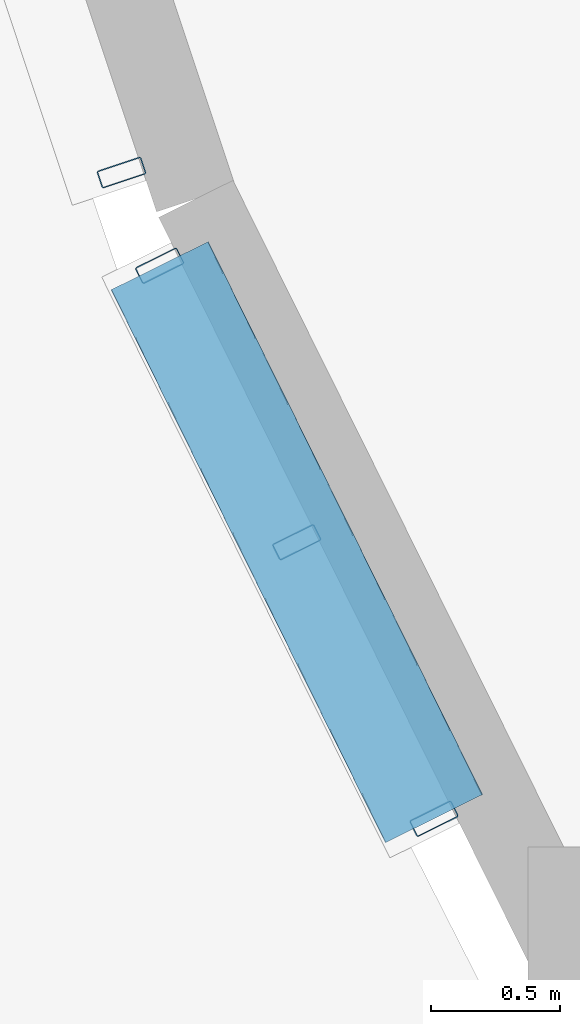
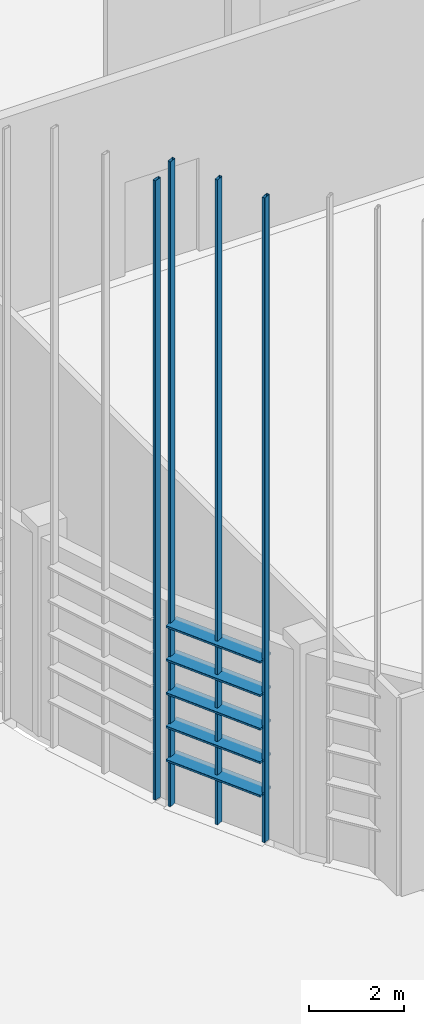
# One storey, part 158 of 372: 9 members.
"""IFC4 building model written with IfcOpenShell, lengths in metres."""

from ifc_helpers import new_model, si_unit, direction, frame, origin, origin_2d, place, context, subcontext, project, spatial, hollow_rectangle, extrude, material, material_profile, profile_set, type_object, element, save


model = new_model("IFC4")

# Units and contexts
model_context = context("Model", 3, precision=1e-05, world=origin(), true_north=direction((0.0, 1.0)))
body_context = subcontext(model_context, "Body", "Model", "MODEL_VIEW")
ifc_project = project(units=[si_unit("LENGTHUNIT", "METRE"), si_unit("AREAUNIT", "SQUARE_METRE"), si_unit("VOLUMEUNIT", "CUBIC_METRE"), si_unit("PLANEANGLEUNIT", "RADIAN"), si_unit("MASSUNIT", "GRAM", prefix="KILO")], contexts=[model_context])

# Site, building, storey
site_placement = place(None, origin())
site = spatial("IfcSite", under=ifc_project, at=site_placement, CompositionType="ELEMENT")
building_placement = place(site_placement, origin())
building = spatial("IfcBuilding", under=site, at=building_placement, Name="Kaelora Sail Theatre", CompositionType="ELEMENT")
storey_placement = place(building_placement, origin())
storey = spatial("IfcBuildingStorey", under=building, at=storey_placement, Name="L00", CompositionType="ELEMENT", Elevation=0.0)

# Members
ifc_material_1 = material(Name="Anodised aluminium 6063-T6", Category="aluminium")
ifc_material_profile_1 = material_profile(ifc_material_1, hollow_rectangle(XDim=0.419921875, YDim=0.054931640625, WallThickness=0.00390625, InnerFilletRadius=0.00390625, OuterFilletRadius=0.008056640625, at=origin_2d()), Name="LOUVRE 420x55x4")
ifc_profile_set_1 = profile_set([ifc_material_profile_1], Name="Anodised aluminium 6063-T6")
member_type_1 = type_object("IfcMemberType", Name="ARC-MEM-LVR-420", PredefinedType="USERDEFINED", material=ifc_profile_set_1)
for number, where, z_axis, x_axis, name in (
    (1, (126.353515625, 30.142822265625, 1.25), (-0.444466855912, 0.895795296927, 0.0), (-0.895795296927, -0.444466855912, 0.0), "Black-Box and Experimental Sail Wing horizontal solar louvre C15-01"),
    (2, (126.353515625, 30.142822265625, 2.110107421875), (-0.444466855912, 0.895795296927, 0.0), (-0.895795296927, -0.444466855912, 0.0), "Black-Box and Experimental Sail Wing horizontal solar louvre C15-02"),
    (3, (126.353515625, 30.142822265625, 2.969970703125), (-0.444466855912, 0.895795296927, 0.0), (-0.895795296927, -0.444466855912, 0.0), "Black-Box and Experimental Sail Wing horizontal solar louvre C15-03"),
    (4, (126.353515625, 30.142822265625, 3.830078125), (-0.444466855912, 0.895795296927, 0.0), (-0.895795296927, -0.444466855912, 0.0), "Black-Box and Experimental Sail Wing horizontal solar louvre C15-04"),
    (5, (126.353515625, 30.142822265625, 4.68994140625), (-0.444466855912, 0.895795296927, 0.0), (-0.895795296927, -0.444466855912, 0.0), "Black-Box and Experimental Sail Wing horizontal solar louvre C15-05"),
):
    element("IfcMember", number, at=place(storey_placement, frame(where, z_axis=z_axis, x_axis=x_axis)), inside=storey, type_object=member_type_1, Name=name, ObjectType="LOUVRE", PredefinedType="USERDEFINED", context=body_context, shape_type="SweptSolid", body=[
        extrude(hollow_rectangle(XDim=0.419921875, YDim=0.054931640625, WallThickness=0.00390625, InnerFilletRadius=0.00390625, OuterFilletRadius=0.008056640625, at=origin_2d()), origin(), (0.0, 0.0, 1.0), 2.384033203125),
    ])
ifc_material_2 = material(Name="Anodised aluminium 6063-T6", Category="aluminium")
ifc_material_profile_2 = material_profile(ifc_material_2, hollow_rectangle(XDim=0.070068359375, YDim=0.179931640625, WallThickness=0.00390625, InnerFilletRadius=0.00390625, OuterFilletRadius=0.008056640625, at=origin_2d()), Name="ALU-MULL 70x180x4")
ifc_profile_set_2 = profile_set([ifc_material_profile_2], Name="Anodised aluminium 6063-T6")
member_type_2 = type_object("IfcMemberType", Name="ARC-MEM-PST-160", PredefinedType="POST", material=ifc_profile_set_2)
for number, where, z_axis, x_axis, name in (
    (6, (126.353515625, 30.142822265625, 0.0), (0.0, 0.0, 1.0), (-0.44447884122, 0.895789350075, 0.0), "Black-Box and Experimental Sail Wing solar louvre vertical support post C15-1"),
    (7, (125.823486328125, 31.21044921875, 0.0), (0.0, 0.0, 1.0), (-0.44447884122, 0.895789350075, 0.0), "Black-Box and Experimental Sail Wing solar louvre vertical support post C15-2"),
    (8, (125.2939453125, 32.2783203125, 0.0), (0.0, 0.0, 1.0), (-0.44447884122, 0.895789350075, 0.0), "Black-Box and Experimental Sail Wing solar louvre vertical support post C15-3"),
):
    element("IfcMember", number, at=place(storey_placement, frame(where, z_axis=z_axis, x_axis=x_axis)), inside=storey, type_object=member_type_2, Name=name, PredefinedType="POST", context=body_context, shape_type="SweptSolid", body=[
        extrude(hollow_rectangle(XDim=0.070068359375, YDim=0.179931640625, WallThickness=0.00390625, InnerFilletRadius=0.00390625, OuterFilletRadius=0.008056640625, at=origin_2d()), origin(), (0.0, 0.0, 1.0), 16.572998046875),
    ])
member_placement = place(storey_placement, frame((125.146728515625, 32.63818359375, 0.0), z_axis=(0.0, 0.0, 1.0), x_axis=(-0.316145823974, 0.948710608133, 0.0)))
element("IfcMember", 9, at=member_placement, inside=storey, type_object=member_type_2, Name="Black-Box and Experimental Sail Wing solar louvre vertical support post C16-1", PredefinedType="POST", context=body_context, shape_type="SweptSolid", body=[
    extrude(hollow_rectangle(XDim=0.070068359375, YDim=0.179931640625, WallThickness=0.00390625, InnerFilletRadius=0.00390625, OuterFilletRadius=0.008056640625, at=origin_2d()), origin(), (0.0, 0.0, 1.0), 15.92041015625),
])

save(model, "model.ifc")
